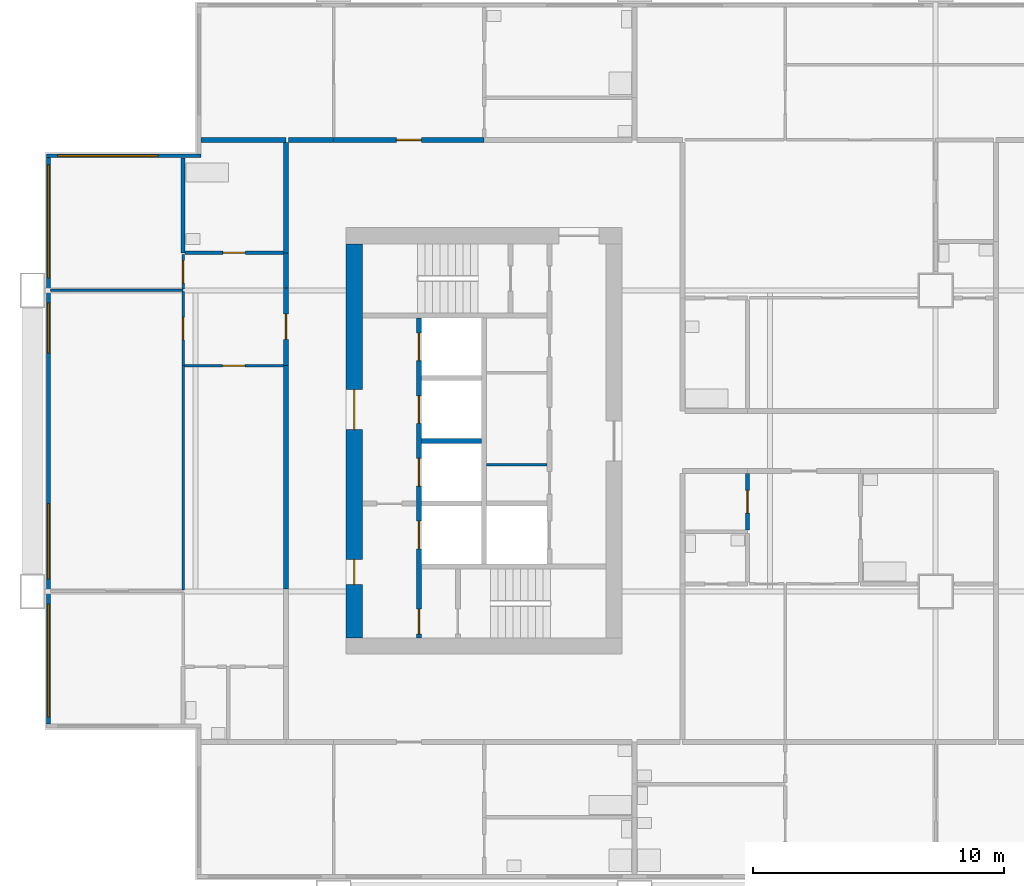
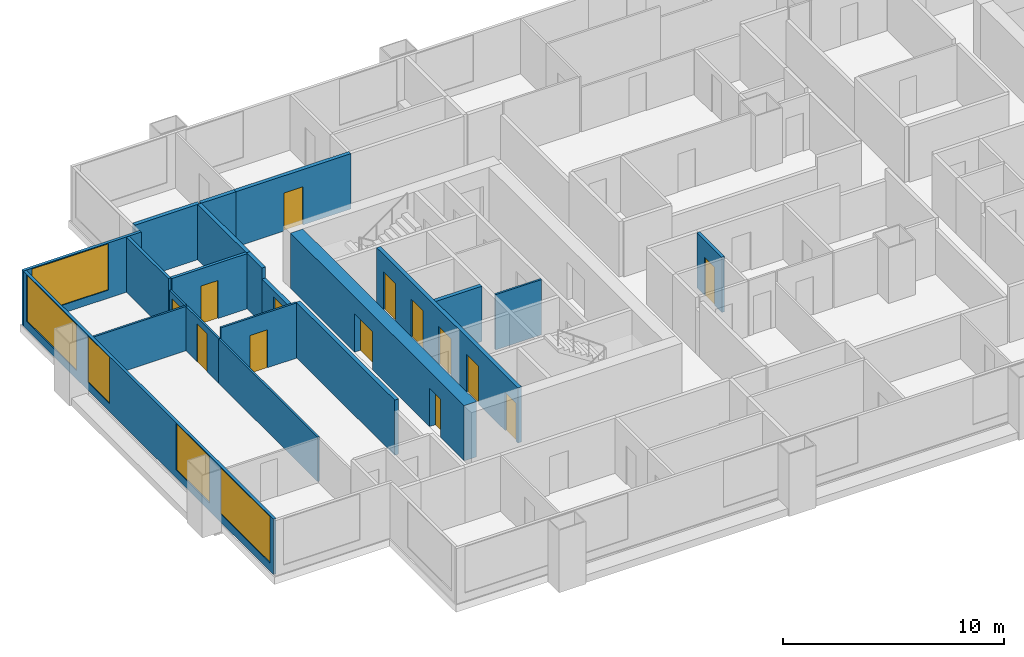
# One storey, part 3 of 11: 21 walls, 14 doors, 5 windows, 19 openings.
"""IFC4 building model written with IfcOpenShell, lengths in metres."""

from ifc_helpers import new_model, si_unit, direction, frame, frame_2d, origin, place, context, subcontext, project, spatial, rectangle, extrude, material, layer, layer_set, type_object, element, fill, save


model = new_model("IFC4")

# Units and contexts
model_context = context("Model", 3, precision=1e-05, world=origin(), true_north=direction((0.0, 1.0)))
body_context = subcontext(model_context, "Body", "Model", "MODEL_VIEW")
ifc_project = project(units=[si_unit("LENGTHUNIT", "METRE"), si_unit("AREAUNIT", "SQUARE_METRE"), si_unit("VOLUMEUNIT", "CUBIC_METRE"), si_unit("PLANEANGLEUNIT", "RADIAN"), si_unit("MASSUNIT", "GRAM", prefix="KILO")], contexts=[model_context])

# Site, building, storey
site_placement = place(None, origin())
site = spatial("IfcSite", under=ifc_project, at=site_placement, CompositionType="ELEMENT")
building_placement = place(site_placement, origin())
building = spatial("IfcBuilding", under=site, at=building_placement, Name="Kitamizu Gate Tower and Museum", CompositionType="ELEMENT")
storey_placement = place(building_placement, frame((0.0, 0.0, 138.0)))
storey = spatial("IfcBuildingStorey", under=building, at=storey_placement, Name="L36", CompositionType="ELEMENT", Elevation=138.0)

# Wall, openings, doors
ifc_material_1 = material(Name="Concrete Fc60", Category="concrete")
ifc_layer_1 = layer(ifc_material_1, 0.64990234375)
ifc_layer_set_1 = layer_set([ifc_layer_1], Name="Concrete Fc60")
wall_type_1 = type_object("IfcWallType", Name="Core wall 650", PredefinedType="SHEAR", material=ifc_layer_set_1)
wall_1_placement = place(storey_placement, frame((12.824951171875, 22.14990234375, 0.0), z_axis=(0.0, 0.0, 1.0), x_axis=(0.0, 1.0, 0.0)))
wall_1 = element("IfcWall", 1, at=wall_1_placement, inside=storey, type_object=wall_type_1, Name="Core wall WOUT", PredefinedType="SHEAR", context=body_context, shape_type="SweptSolid", body=[
    extrude(rectangle(XDim=15.7001953125, YDim=0.64990234375, at=frame_2d((7.85009765625, 0.0))), origin(), (0.0, 0.0, 1.0), 3.050048828125),
])
opening_1_placement = place(wall_1_placement, frame((8.300048828125, 0.0, 0.0)))
opening_1 = element("IfcOpeningElement", 2, at=opening_1_placement, cuts=wall_1, Name="Opening L36-060", PredefinedType="OPENING", context=body_context, shape_type="SweptSolid", body=[
    extrude(rectangle(XDim=1.60009765625, YDim=2.10009765625, at=frame_2d((0.800048828125, 1.050048828125))), frame((0.0, 0.3349609375, 0.0), z_axis=(0.0, -1.0, 0.0), x_axis=(1.0, 0.0, 0.0)), (0.0, 0.0, 1.0), 0.669921875),
])
opening_2_placement = place(wall_1_placement, frame((2.125, 0.0, 0.0)))
opening_2 = element("IfcOpeningElement", 3, at=opening_2_placement, cuts=wall_1, Name="Opening L36-061", PredefinedType="OPENING", context=body_context, shape_type="SweptSolid", body=[
    extrude(rectangle(XDim=1.0, YDim=2.10009765625, at=frame_2d((0.5, 1.050048828125))), frame((0.0, 0.3349609375, 0.0), z_axis=(0.0, -1.0, 0.0), x_axis=(1.0, 0.0, 0.0)), (0.0, 0.0, 1.0), 0.669921875),
])
ifc_material_2 = material(Name="Timber door set", Category="wood")
door_type_1 = type_object("IfcDoorType", Name="Entrance door 1600", OperationType="DOUBLE_DOOR_SINGLE_SWING", PredefinedType="DOOR", material=ifc_material_2)
door_1_placement = place(opening_1_placement, origin())
door_1 = element("IfcDoor", 4, at=door_1_placement, inside=storey, type_object=door_type_1, Name="Lobby door L36-060", OperationType="DOUBLE_DOOR_SINGLE_SWING", OverallHeight=2.10009765625, OverallWidth=1.60009765625, PredefinedType="DOOR", context=body_context, shape_type="SweptSolid", body=[
    extrude(rectangle(XDim=1.60009765625, YDim=2.10009765625, at=frame_2d((0.800048828125, 1.050048828125))), frame((0.0, 0.02490234375, 0.0), z_axis=(0.0, -1.0, 0.0), x_axis=(1.0, 0.0, 0.0)), (0.0, 0.0, 1.0), 0.050048828125),
])
fill(opening_1, door_1)
ifc_material_3 = material(Name="Hollow metal door set")
door_type_2 = type_object("IfcDoorType", Name="Fire door 1000", OperationType="NOTDEFINED", PredefinedType="DOOR", material=ifc_material_3)
door_2_placement = place(opening_2_placement, frame((1.0, 0.0, 0.0), x_axis=(-1.0, 0.0, 0.0)))
door_2 = element("IfcDoor", 5, at=door_2_placement, inside=storey, type_object=door_type_2, Name="Fire-fighting lobby door L36-061", OperationType="SINGLE_SWING_RIGHT", OverallHeight=2.10009765625, OverallWidth=1.0, PredefinedType="DOOR", context=body_context, shape_type="SweptSolid", body=[
    extrude(rectangle(XDim=1.0, YDim=2.10009765625, at=frame_2d((0.5, 1.050048828125))), frame((0.0, 0.02490234375, 0.0), z_axis=(0.0, -1.0, 0.0), x_axis=(1.0, 0.0, 0.0)), (0.0, 0.0, 1.0), 0.050048828125),
])
fill(opening_2, door_2)

# Walls
ifc_material_4 = material(Name="Gypsum board on galvanised stud")
ifc_layer_2 = layer(ifc_material_4, 0.10009765625)
ifc_layer_set_2 = layer_set([ifc_layer_2], Name="Gypsum board on galvanised stud")
wall_type_2 = type_object("IfcWallType", Name="Partition 100", PredefinedType="PARTITIONING", material=ifc_layer_set_2)
wall_2_placement = place(storey_placement, frame((18.10009765625, 29.06005859375, 0.0), z_axis=(0.0, 0.0, 1.0), x_axis=(1.0, 0.0, 0.0)))
element("IfcWall", 6, at=wall_2_placement, inside=storey, type_object=wall_type_2, Name="Partition WPF1", PredefinedType="PARTITIONING", context=body_context, shape_type="SweptSolid", body=[
    extrude(rectangle(XDim=2.39990234375, YDim=0.10009765625, at=frame_2d((1.199951171875, 0.0))), origin(), (0.0, 0.0, 1.0), 3.050048828125),
])
ifc_material_5 = material(Name="Gypsum board on galvanised stud")
ifc_layer_3 = layer(ifc_material_5, 0.10009765625)
ifc_layer_set_3 = layer_set([ifc_layer_3], Name="Gypsum board on galvanised stud")
wall_type_3 = type_object("IfcWallType", Name="Partition 100 NOT RATED", PredefinedType="PARTITIONING", material=ifc_layer_set_3)
wall_3_placement = place(storey_placement, frame((6.0, 36.0, 0.0), z_axis=(0.0, 0.0, 1.0), x_axis=(-1.0, 0.0, 0.0)))
element("IfcWall", 7, at=wall_3_placement, inside=storey, type_object=wall_type_3, Name="Partition L36-016", PredefinedType="PARTITIONING", context=body_context, shape_type="SweptSolid", body=[
    extrude(rectangle(XDim=5.280029296875, YDim=0.10009765625, at=frame_2d((2.64013671875, 0.0))), origin(), (0.0, 0.0, 1.0), 2.449951171875),
])
wall_4_placement = place(storey_placement, frame((6.0, 24.050048828125, 0.0), z_axis=(0.0, 0.0, 1.0), x_axis=(0.0, 1.0, 0.0)))
element("IfcWall", 8, at=wall_4_placement, inside=storey, type_object=wall_type_3, Name="Partition L36-017", PredefinedType="PARTITIONING", context=body_context, shape_type="SweptSolid", body=[
    extrude(rectangle(XDim=8.949951171875, YDim=0.10009765625, at=frame_2d((4.47509765625, 0.0))), origin(), (0.0, 0.0, 1.0), 2.449951171875),
])

# Wall, opening, door
wall_5_placement = place(storey_placement, frame((6.0, 33.0, 0.0), z_axis=(0.0, 0.0, 1.0), x_axis=(0.0, 1.0, 0.0)))
wall_5 = element("IfcWall", 9, at=wall_5_placement, inside=storey, type_object=wall_type_3, Name="Partition L36-018", PredefinedType="PARTITIONING", context=body_context, shape_type="SweptSolid", body=[
    extrude(rectangle(XDim=2.949951171875, YDim=0.10009765625, at=frame_2d((1.47509765625, 0.0))), origin(), (0.0, 0.0, 1.0), 2.449951171875),
])
opening_3_placement = place(wall_5_placement, frame((1.02490234375, 0.0, 0.0)))
opening_3 = element("IfcOpeningElement", 10, at=opening_3_placement, cuts=wall_5, Name="Opening L36-006", PredefinedType="OPENING", context=body_context, shape_type="SweptSolid", body=[
    extrude(rectangle(XDim=0.89990234375, YDim=2.10009765625, at=frame_2d((0.449951171875, 1.050048828125))), frame((0.0, 0.06005859375, 0.0), z_axis=(0.0, -1.0, 0.0), x_axis=(1.0, 0.0, 0.0)), (0.0, 0.0, 1.0), 0.1201171875),
])
ifc_material_6 = material(Name="Timber door set", Category="wood")
door_type_3 = type_object("IfcDoorType", Name="Room door 900", OperationType="NOTDEFINED", PredefinedType="DOOR", material=ifc_material_6)
door_3_placement = place(opening_3_placement, origin())
door_3 = element("IfcDoor", 11, at=door_3_placement, inside=storey, type_object=door_type_3, Name="Door L36-006", OperationType="SINGLE_SWING_LEFT", OverallHeight=2.10009765625, OverallWidth=0.89990234375, PredefinedType="DOOR", context=body_context, shape_type="SweptSolid", body=[
    extrude(rectangle(XDim=0.89990234375, YDim=2.10009765625, at=frame_2d((0.449951171875, 1.050048828125))), frame((0.0, 0.02490234375, 0.0), z_axis=(0.0, -1.0, 0.0), x_axis=(1.0, 0.0, 0.0)), (0.0, 0.0, 1.0), 0.050048828125),
])
fill(opening_3, door_3)

wall_6_placement = place(storey_placement, frame((6.0, 36.050048828125, 0.0), z_axis=(0.0, 0.0, 1.0), x_axis=(0.0, 1.0, 0.0)))
wall_6 = element("IfcWall", 12, at=wall_6_placement, inside=storey, type_object=wall_type_3, Name="Partition L36-019", PredefinedType="PARTITIONING", context=body_context, shape_type="SweptSolid", body=[
    extrude(rectangle(XDim=1.375, YDim=0.10009765625, at=frame_2d((0.6875, 0.0))), origin(), (0.0, 0.0, 1.0), 2.449951171875),
])
opening_4_placement = place(wall_6_placement, frame((0.237548828125, 0.0, 0.0)))
opening_4 = element("IfcOpeningElement", 13, at=opening_4_placement, cuts=wall_6, Name="Opening L36-007", PredefinedType="OPENING", context=body_context, shape_type="SweptSolid", body=[
    extrude(rectangle(XDim=0.89990234375, YDim=2.10009765625, at=frame_2d((0.449951171875, 1.050048828125))), frame((0.0, 0.06005859375, 0.0), z_axis=(0.0, -1.0, 0.0), x_axis=(1.0, 0.0, 0.0)), (0.0, 0.0, 1.0), 0.1201171875),
])
door_4_placement = place(opening_4_placement, origin())
door_4 = element("IfcDoor", 14, at=door_4_placement, inside=storey, type_object=door_type_3, Name="Door L36-007", OperationType="SINGLE_SWING_RIGHT", OverallHeight=2.10009765625, OverallWidth=0.89990234375, PredefinedType="DOOR", context=body_context, shape_type="SweptSolid", body=[
    extrude(rectangle(XDim=0.89990234375, YDim=2.10009765625, at=frame_2d((0.449951171875, 1.050048828125))), frame((0.0, 0.02490234375, 0.0), z_axis=(0.0, -1.0, 0.0), x_axis=(1.0, 0.0, 0.0)), (0.0, 0.0, 1.0), 0.050048828125),
])
fill(opening_4, door_4)

wall_7_placement = place(storey_placement, frame((10.0, 33.0, 0.0), z_axis=(0.0, 0.0, 1.0), x_axis=(-1.0, 0.0, 0.0)))
wall_7 = element("IfcWall", 15, at=wall_7_placement, inside=storey, type_object=wall_type_3, Name="Partition L36-025", PredefinedType="PARTITIONING", context=body_context, shape_type="SweptSolid", body=[
    extrude(rectangle(XDim=3.949951171875, YDim=0.10009765625, at=frame_2d((1.97509765625, 0.0))), origin(), (0.0, 0.0, 1.0), 3.050048828125),
])
opening_5_placement = place(wall_7_placement, frame((1.52490234375, 0.0, 0.0)))
opening_5 = element("IfcOpeningElement", 16, at=opening_5_placement, cuts=wall_7, Name="Opening L36-008", PredefinedType="OPENING", context=body_context, shape_type="SweptSolid", body=[
    extrude(rectangle(XDim=0.89990234375, YDim=2.10009765625, at=frame_2d((0.449951171875, 1.050048828125))), frame((0.0, 0.06005859375, 0.0), z_axis=(0.0, -1.0, 0.0), x_axis=(1.0, 0.0, 0.0)), (0.0, 0.0, 1.0), 0.1201171875),
])
door_5_placement = place(opening_5_placement, frame((0.89990234375, 0.0, 0.0), x_axis=(-1.0, 0.0, 0.0)))
door_5 = element("IfcDoor", 17, at=door_5_placement, inside=storey, type_object=door_type_3, Name="Door L36-008", OperationType="SINGLE_SWING_LEFT", OverallHeight=2.10009765625, OverallWidth=0.89990234375, PredefinedType="DOOR", context=body_context, shape_type="SweptSolid", body=[
    extrude(rectangle(XDim=0.89990234375, YDim=2.10009765625, at=frame_2d((0.449951171875, 1.050048828125))), frame((0.0, 0.02490234375, 0.0), z_axis=(0.0, -1.0, 0.0), x_axis=(1.0, 0.0, 0.0)), (0.0, 0.0, 1.0), 0.050048828125),
])
fill(opening_5, door_5)

# Wall
ifc_material_7 = material(Name="Gypsum board on galvanised stud")
ifc_layer_4 = layer(ifc_material_7, 0.14990234375)
ifc_layer_set_4 = layer_set([ifc_layer_4], Name="Gypsum board on galvanised stud")
wall_type_4 = type_object("IfcWallType", Name="Partition 150", PredefinedType="PARTITIONING", material=ifc_layer_set_4)
wall_8_placement = place(storey_placement, frame((6.0, 37.5, 0.0), z_axis=(0.0, 0.0, 1.0), x_axis=(0.0, 1.0, 0.0)))
element("IfcWall", 18, at=wall_8_placement, inside=storey, type_object=wall_type_4, Name="Partition L36-020", PredefinedType="PARTITIONING", context=body_context, shape_type="SweptSolid", body=[
    extrude(rectangle(XDim=3.780029296875, YDim=0.14990234375, at=frame_2d((1.89013671875, 0.0))), origin(), (0.0, 0.0, 1.0), 3.050048828125),
])

# Wall, opening, door
wall_9_placement = place(storey_placement, frame((10.0, 37.5, 0.0), z_axis=(0.0, 0.0, 1.0), x_axis=(-1.0, 0.0, 0.0)))
wall_9 = element("IfcWall", 19, at=wall_9_placement, inside=storey, type_object=wall_type_4, Name="Partition L36-028", PredefinedType="PARTITIONING", context=body_context, shape_type="SweptSolid", body=[
    extrude(rectangle(XDim=3.925048828125, YDim=0.14990234375, at=frame_2d((1.96240234375, 0.0))), origin(), (0.0, 0.0, 1.0), 3.050048828125),
])
opening_6_placement = place(wall_9_placement, frame((1.512451171875, 0.0, 0.0)))
opening_6 = element("IfcOpeningElement", 20, at=opening_6_placement, cuts=wall_9, Name="Opening L36-012", PredefinedType="OPENING", context=body_context, shape_type="SweptSolid", body=[
    extrude(rectangle(XDim=0.89990234375, YDim=2.10009765625, at=frame_2d((0.449951171875, 1.050048828125))), frame((0.0, 0.0849609375, 0.0), z_axis=(0.0, -1.0, 0.0), x_axis=(1.0, 0.0, 0.0)), (0.0, 0.0, 1.0), 0.169921875),
])
ifc_material_8 = material(Name="Timber door set", Category="wood")
door_type_4 = type_object("IfcDoorType", Name="Bathroom door 900", OperationType="NOTDEFINED", PredefinedType="DOOR", material=ifc_material_8)
door_6_placement = place(opening_6_placement, frame((0.89990234375, 0.0, 0.0), x_axis=(-1.0, 0.0, 0.0)))
door_6 = element("IfcDoor", 21, at=door_6_placement, inside=storey, type_object=door_type_4, Name="Bathroom door L36-012", OperationType="SINGLE_SWING_LEFT", OverallHeight=2.10009765625, OverallWidth=0.89990234375, PredefinedType="DOOR", context=body_context, shape_type="SweptSolid", body=[
    extrude(rectangle(XDim=0.89990234375, YDim=2.10009765625, at=frame_2d((0.449951171875, 1.050048828125))), frame((0.0, 0.02490234375, 0.0), z_axis=(0.0, -1.0, 0.0), x_axis=(1.0, 0.0, 0.0)), (0.0, 0.0, 1.0), 0.050048828125),
])
fill(opening_6, door_6)

wall_10_placement = place(storey_placement, frame((28.5, 26.451904296875, 0.0), z_axis=(0.0, 0.0, 1.0), x_axis=(0.0, 1.0, 0.0)))
wall_10 = element("IfcWall", 22, at=wall_10_placement, inside=storey, type_object=wall_type_4, Name="Partition L36-048", PredefinedType="PARTITIONING", context=body_context, shape_type="SweptSolid", body=[
    extrude(rectangle(XDim=2.248046875, YDim=0.14990234375, at=frame_2d((1.1240234375, 0.0))), origin(), (0.0, 0.0, 1.0), 3.050048828125),
])
opening_7_placement = place(wall_10_placement, frame((0.674072265625, 0.0, 0.0)))
opening_7 = element("IfcOpeningElement", 23, at=opening_7_placement, cuts=wall_10, Name="Opening L36-017", PredefinedType="OPENING", context=body_context, shape_type="SweptSolid", body=[
    extrude(rectangle(XDim=0.89990234375, YDim=2.10009765625, at=frame_2d((0.449951171875, 1.050048828125))), frame((0.0, 0.0849609375, 0.0), z_axis=(0.0, -1.0, 0.0), x_axis=(1.0, 0.0, 0.0)), (0.0, 0.0, 1.0), 0.169921875),
])
door_7_placement = place(opening_7_placement, origin())
door_7 = element("IfcDoor", 24, at=door_7_placement, inside=storey, type_object=door_type_4, Name="Bathroom door L36-017", OperationType="SINGLE_SWING_LEFT", OverallHeight=2.10009765625, OverallWidth=0.89990234375, PredefinedType="DOOR", context=body_context, shape_type="SweptSolid", body=[
    extrude(rectangle(XDim=0.89990234375, YDim=2.10009765625, at=frame_2d((0.449951171875, 1.050048828125))), frame((0.0, 0.02490234375, 0.0), z_axis=(0.0, -1.0, 0.0), x_axis=(1.0, 0.0, 0.0)), (0.0, 0.0, 1.0), 0.050048828125),
])
fill(opening_7, door_7)

# Wall
ifc_material_9 = material(Name="Gypsum board on galvanised stud")
ifc_layer_5 = layer(ifc_material_9, 0.199951171875)
ifc_layer_set_5 = layer_set([ifc_layer_5], Name="Gypsum board on galvanised stud")
wall_type_5 = type_object("IfcWallType", Name="Partition 200", PredefinedType="PARTITIONING", material=ifc_layer_set_5)
wall_11_placement = place(storey_placement, frame((10.10009765625, 24.10009765625, 0.0), z_axis=(0.0, 0.0, 1.0), x_axis=(0.0, 1.0, 0.0)))
element("IfcWall", 25, at=wall_11_placement, inside=storey, type_object=wall_type_5, Name="Partition L36-027", PredefinedType="PARTITIONING", context=body_context, shape_type="SweptSolid", body=[
    extrude(rectangle(XDim=8.89990234375, YDim=0.199951171875, at=frame_2d((4.449951171875, 0.0))), origin(), (0.0, 0.0, 1.0), 3.050048828125),
])

# Wall, opening, door
wall_12_placement = place(storey_placement, frame((10.10009765625, 33.0, 0.0), z_axis=(0.0, 0.0, 1.0), x_axis=(0.0, 1.0, 0.0)))
wall_12 = element("IfcWall", 26, at=wall_12_placement, inside=storey, type_object=wall_type_5, Name="Partition L36-029", PredefinedType="PARTITIONING", context=body_context, shape_type="SweptSolid", body=[
    extrude(rectangle(XDim=3.10009765625, YDim=0.199951171875, at=frame_2d((1.550048828125, 0.0))), origin(), (0.0, 0.0, 1.0), 2.449951171875),
])
opening_8_placement = place(wall_12_placement, frame((1.050048828125, 0.0, 0.0)))
opening_8 = element("IfcOpeningElement", 27, at=opening_8_placement, cuts=wall_12, Name="Opening L36-005", PredefinedType="OPENING", context=body_context, shape_type="SweptSolid", body=[
    extrude(rectangle(XDim=1.0, YDim=2.10009765625, at=frame_2d((0.5, 1.050048828125))), frame((0.0, 0.10986328125, 0.0), z_axis=(0.0, -1.0, 0.0), x_axis=(1.0, 0.0, 0.0)), (0.0, 0.0, 1.0), 0.219970703125),
])
ifc_material_10 = material(Name="Timber door set", Category="wood")
door_type_5 = type_object("IfcDoorType", Name="Flat entrance door 1000", OperationType="NOTDEFINED", PredefinedType="DOOR", material=ifc_material_10)
door_8_placement = place(opening_8_placement, origin())
door_8 = element("IfcDoor", 28, at=door_8_placement, inside=storey, type_object=door_type_5, Name="Flat entrance door L36-005", OperationType="SINGLE_SWING_RIGHT", OverallHeight=2.10009765625, OverallWidth=1.0, PredefinedType="DOOR", context=body_context, shape_type="SweptSolid", body=[
    extrude(rectangle(XDim=1.0, YDim=2.10009765625, at=frame_2d((0.5, 1.050048828125))), frame((0.0, 0.02490234375, 0.0), z_axis=(0.0, -1.0, 0.0), x_axis=(1.0, 0.0, 0.0)), (0.0, 0.0, 1.0), 0.050048828125),
])
fill(opening_8, door_8)

# Walls
wall_13_placement = place(storey_placement, frame((10.10009765625, 36.10009765625, 0.0), z_axis=(0.0, 0.0, 1.0), x_axis=(0.0, 1.0, 0.0)))
element("IfcWall", 29, at=wall_13_placement, inside=storey, type_object=wall_type_5, Name="Partition L36-030", PredefinedType="PARTITIONING", context=body_context, shape_type="SweptSolid", body=[
    extrude(rectangle(XDim=1.39990234375, YDim=0.199951171875, at=frame_2d((0.699951171875, 0.0))), origin(), (0.0, 0.0, 1.0), 3.050048828125),
])
wall_14_placement = place(storey_placement, frame((10.10009765625, 42.0, 0.0), z_axis=(0.0, 0.0, 1.0), x_axis=(-1.0, 0.0, 0.0)))
element("IfcWall", 30, at=wall_14_placement, inside=storey, type_object=wall_type_5, Name="Partition L36-031", PredefinedType="PARTITIONING", context=body_context, shape_type="SweptSolid", body=[
    extrude(rectangle(XDim=3.380126953125, YDim=0.199951171875, at=frame_2d((1.68994140625, 0.0))), origin(), (0.0, 0.0, 1.0), 3.050048828125),
])
wall_15_placement = place(storey_placement, frame((10.10009765625, 37.5, 0.0), z_axis=(0.0, 0.0, 1.0), x_axis=(0.0, 1.0, 0.0)))
element("IfcWall", 31, at=wall_15_placement, inside=storey, type_object=wall_type_5, Name="Partition L36-032", PredefinedType="PARTITIONING", context=body_context, shape_type="SweptSolid", body=[
    extrude(rectangle(XDim=4.39990234375, YDim=0.199951171875, at=frame_2d((2.199951171875, 0.0))), origin(), (0.0, 0.0, 1.0), 3.050048828125),
])
wall_16_placement = place(storey_placement, frame((10.199951171875, 42.0, 0.0), z_axis=(0.0, 0.0, 1.0), x_axis=(1.0, 0.0, 0.0)))
element("IfcWall", 32, at=wall_16_placement, inside=storey, type_object=wall_type_5, Name="Partition L36-105", PredefinedType="PARTITIONING", context=body_context, shape_type="SweptSolid", body=[
    extrude(rectangle(XDim=1.800048828125, YDim=0.199951171875, at=frame_2d((0.89990234375, 0.0))), origin(), (0.0, 0.0, 1.0), 3.050048828125),
])

# Wall, opening, door
wall_17_placement = place(storey_placement, frame((12.0, 42.0, 0.0), z_axis=(0.0, 0.0, 1.0), x_axis=(1.0, 0.0, 0.0)))
wall_17 = element("IfcWall", 33, at=wall_17_placement, inside=storey, type_object=wall_type_5, Name="Partition L36-108", PredefinedType="PARTITIONING", context=body_context, shape_type="SweptSolid", body=[
    extrude(rectangle(XDim=6.0, YDim=0.199951171875, at=frame_2d((3.0, 0.0))), origin(), (0.0, 0.0, 1.0), 3.050048828125),
])
opening_9_placement = place(wall_17_placement, frame((2.5, 0.0, 0.0)))
opening_9 = element("IfcOpeningElement", 34, at=opening_9_placement, cuts=wall_17, Name="Opening L36-038", PredefinedType="OPENING", context=body_context, shape_type="SweptSolid", body=[
    extrude(rectangle(XDim=1.0, YDim=2.10009765625, at=frame_2d((0.5, 1.050048828125))), frame((0.0, 0.10986328125, 0.0), z_axis=(0.0, -1.0, 0.0), x_axis=(1.0, 0.0, 0.0)), (0.0, 0.0, 1.0), 0.219970703125),
])
door_9_placement = place(opening_9_placement, origin())
door_9 = element("IfcDoor", 35, at=door_9_placement, inside=storey, type_object=door_type_5, Name="Flat entrance door L36-038", OperationType="SINGLE_SWING_LEFT", OverallHeight=2.10009765625, OverallWidth=1.0, PredefinedType="DOOR", context=body_context, shape_type="SweptSolid", body=[
    extrude(rectangle(XDim=1.0, YDim=2.10009765625, at=frame_2d((0.5, 1.050048828125))), frame((0.0, 0.02490234375, 0.0), z_axis=(0.0, -1.0, 0.0), x_axis=(1.0, 0.0, 0.0)), (0.0, 0.0, 1.0), 0.050048828125),
])
fill(opening_9, door_9)

# Wall, openings, doors
ifc_material_11 = material(Name="Concrete Fc42", Category="concrete")
ifc_layer_6 = layer(ifc_material_11, 0.199951171875)
ifc_layer_set_6 = layer_set([ifc_layer_6], Name="Concrete Fc42")
wall_type_6 = type_object("IfcWallType", Name="Shaft wall 200", PredefinedType="SOLIDWALL", material=ifc_layer_set_6)
wall_18_placement = place(storey_placement, frame((15.39990234375, 22.14990234375, 0.0), z_axis=(0.0, 0.0, 1.0), x_axis=(0.0, 1.0, 0.0)))
wall_18 = element("IfcWall", 36, at=wall_18_placement, inside=storey, type_object=wall_type_6, Name="Shaft wall WWEST", PredefinedType="SOLIDWALL", context=body_context, shape_type="SweptSolid", body=[
    extrude(rectangle(XDim=12.75, YDim=0.199951171875, at=frame_2d((6.375, 0.0))), origin(), (0.0, 0.0, 1.0), 3.050048828125),
])
opening_10_placement = place(wall_18_placement, frame((3.550048828125, 0.0, 0.0)))
opening_10 = element("IfcOpeningElement", 37, at=opening_10_placement, cuts=wall_18, Name="Opening LD", PredefinedType="OPENING", context=body_context, shape_type="SweptSolid", body=[
    extrude(rectangle(XDim=1.10009765625, YDim=2.10009765625, at=frame_2d((0.550048828125, 1.050048828125))), frame((0.0, 0.10986328125, 0.0), z_axis=(0.0, -1.0, 0.0), x_axis=(1.0, 0.0, 0.0)), (0.0, 0.0, 1.0), 0.219970703125),
])
opening_11_placement = place(wall_18_placement, frame((6.050048828125, 0.0, 0.0)))
opening_11 = element("IfcOpeningElement", 38, at=opening_11_placement, cuts=wall_18, Name="Opening LD", PredefinedType="OPENING", context=body_context, shape_type="SweptSolid", body=[
    extrude(rectangle(XDim=1.10009765625, YDim=2.10009765625, at=frame_2d((0.550048828125, 1.050048828125))), frame((0.0, 0.10986328125, 0.0), z_axis=(0.0, -1.0, 0.0), x_axis=(1.0, 0.0, 0.0)), (0.0, 0.0, 1.0), 0.219970703125),
])
opening_12_placement = place(wall_18_placement, frame((8.550048828125, 0.0, 0.0)))
opening_12 = element("IfcOpeningElement", 39, at=opening_12_placement, cuts=wall_18, Name="Opening LD", PredefinedType="OPENING", context=body_context, shape_type="SweptSolid", body=[
    extrude(rectangle(XDim=1.10009765625, YDim=2.10009765625, at=frame_2d((0.550048828125, 1.050048828125))), frame((0.0, 0.10986328125, 0.0), z_axis=(0.0, -1.0, 0.0), x_axis=(1.0, 0.0, 0.0)), (0.0, 0.0, 1.0), 0.219970703125),
])
opening_13_placement = place(wall_18_placement, frame((11.050048828125, 0.0, 0.0)))
opening_13 = element("IfcOpeningElement", 40, at=opening_13_placement, cuts=wall_18, Name="Opening LD", PredefinedType="OPENING", context=body_context, shape_type="SweptSolid", body=[
    extrude(rectangle(XDim=1.10009765625, YDim=2.10009765625, at=frame_2d((0.550048828125, 1.050048828125))), frame((0.0, 0.10986328125, 0.0), z_axis=(0.0, -1.0, 0.0), x_axis=(1.0, 0.0, 0.0)), (0.0, 0.0, 1.0), 0.219970703125),
])
opening_14_placement = place(wall_18_placement, frame((0.14990234375, 0.0, 0.0)))
opening_14 = element("IfcOpeningElement", 41, at=opening_14_placement, cuts=wall_18, Name="Opening L36-056", PredefinedType="OPENING", context=body_context, shape_type="SweptSolid", body=[
    extrude(rectangle(XDim=1.0, YDim=2.10009765625, at=frame_2d((0.5, 1.050048828125))), frame((0.0, 0.10986328125, 0.0), z_axis=(0.0, -1.0, 0.0), x_axis=(1.0, 0.0, 0.0)), (0.0, 0.0, 1.0), 0.219970703125),
])
door_10_placement = place(opening_14_placement, frame((1.0, 0.0, 0.0), x_axis=(-1.0, 0.0, 0.0)))
door_10 = element("IfcDoor", 42, at=door_10_placement, inside=storey, type_object=door_type_2, Name="Stair lobby door L36-056", OperationType="SINGLE_SWING_LEFT", OverallHeight=2.10009765625, OverallWidth=1.0, PredefinedType="DOOR", context=body_context, shape_type="SweptSolid", body=[
    extrude(rectangle(XDim=1.0, YDim=2.10009765625, at=frame_2d((0.5, 1.050048828125))), frame((0.0, 0.02490234375, 0.0), z_axis=(0.0, -1.0, 0.0), x_axis=(1.0, 0.0, 0.0)), (0.0, 0.0, 1.0), 0.050048828125),
])
fill(opening_14, door_10)
ifc_material_12 = material(Name="Hollow metal door set")
door_type_6 = type_object("IfcDoorType", Name="Landing door 1100", OperationType="SLIDING_TO_LEFT", PredefinedType="DOOR", material=ifc_material_12)
door_11_placement = place(opening_10_placement, origin())
door_11 = element("IfcDoor", 43, at=door_11_placement, inside=storey, type_object=door_type_6, Name="Landing door WFF1", OperationType="SLIDING_TO_LEFT", OverallHeight=2.10009765625, OverallWidth=1.10009765625, PredefinedType="DOOR", context=body_context, shape_type="SweptSolid", body=[
    extrude(rectangle(XDim=1.10009765625, YDim=2.10009765625, at=frame_2d((0.550048828125, 1.050048828125))), frame((0.0, 0.02490234375, 0.0), z_axis=(0.0, -1.0, 0.0), x_axis=(1.0, 0.0, 0.0)), (0.0, 0.0, 1.0), 0.050048828125),
])
fill(opening_10, door_11)
door_12_placement = place(opening_11_placement, origin())
door_12 = element("IfcDoor", 44, at=door_12_placement, inside=storey, type_object=door_type_6, Name="Landing door WL1", OperationType="SLIDING_TO_LEFT", OverallHeight=2.10009765625, OverallWidth=1.10009765625, PredefinedType="DOOR", context=body_context, shape_type="SweptSolid", body=[
    extrude(rectangle(XDim=1.10009765625, YDim=2.10009765625, at=frame_2d((0.550048828125, 1.050048828125))), frame((0.0, 0.02490234375, 0.0), z_axis=(0.0, -1.0, 0.0), x_axis=(1.0, 0.0, 0.0)), (0.0, 0.0, 1.0), 0.050048828125),
])
fill(opening_11, door_12)
door_13_placement = place(opening_12_placement, origin())
door_13 = element("IfcDoor", 45, at=door_13_placement, inside=storey, type_object=door_type_6, Name="Landing door WL2", OperationType="SLIDING_TO_LEFT", OverallHeight=2.10009765625, OverallWidth=1.10009765625, PredefinedType="DOOR", context=body_context, shape_type="SweptSolid", body=[
    extrude(rectangle(XDim=1.10009765625, YDim=2.10009765625, at=frame_2d((0.550048828125, 1.050048828125))), frame((0.0, 0.02490234375, 0.0), z_axis=(0.0, -1.0, 0.0), x_axis=(1.0, 0.0, 0.0)), (0.0, 0.0, 1.0), 0.050048828125),
])
fill(opening_12, door_13)
door_14_placement = place(opening_13_placement, origin())
door_14 = element("IfcDoor", 46, at=door_14_placement, inside=storey, type_object=door_type_6, Name="Landing door WL3", OperationType="SLIDING_TO_LEFT", OverallHeight=2.10009765625, OverallWidth=1.10009765625, PredefinedType="DOOR", context=body_context, shape_type="SweptSolid", body=[
    extrude(rectangle(XDim=1.10009765625, YDim=2.10009765625, at=frame_2d((0.550048828125, 1.050048828125))), frame((0.0, 0.02490234375, 0.0), z_axis=(0.0, -1.0, 0.0), x_axis=(1.0, 0.0, 0.0)), (0.0, 0.0, 1.0), 0.050048828125),
])
fill(opening_13, door_14)

# Wall
wall_19_placement = place(storey_placement, frame((15.5, 30.0, 0.0), z_axis=(0.0, 0.0, 1.0), x_axis=(1.0, 0.0, 0.0)))
element("IfcWall", 47, at=wall_19_placement, inside=storey, type_object=wall_type_6, Name="Shaft wall WDVW1", PredefinedType="SOLIDWALL", context=body_context, shape_type="SweptSolid", body=[
    extrude(rectangle(XDim=2.39990234375, YDim=0.199951171875, at=frame_2d((1.199951171875, 0.0))), origin(), (0.0, 0.0, 1.0), 3.050048828125),
])

# Wall, opening, window
ifc_material_13 = material(Name="Bronze anodised aluminium frame with insulated spandrel and tinted glass", Category="aluminium")
ifc_layer_7 = layer(ifc_material_13, 0.14990234375)
ifc_layer_set_7 = layer_set([ifc_layer_7], Name="Bronze anodised aluminium frame with insulated spandrel and tinted glass")
wall_type_7 = type_object("IfcWallType", Name="WINDOW WALL 150 BRONZE FRAME EI 30", PredefinedType="ELEMENTEDWALL", material=ifc_layer_set_7)
wall_20_placement = place(storey_placement, frame((0.56005859375, 41.364990234375, 0.0), z_axis=(0.0, 0.0, 1.0), x_axis=(1.0, 0.0, 0.0)))
wall_20 = element("IfcWall", 48, at=wall_20_placement, inside=storey, type_object=wall_type_7, Name="Window wall north L36", PredefinedType="ELEMENTEDWALL", context=body_context, shape_type="SweptSolid", body=[
    extrude(rectangle(XDim=6.14990234375, YDim=0.14990234375, at=frame_2d((3.074951171875, 0.0))), origin(), (0.0, 0.0, 1.0), 3.050048828125),
])
opening_15_placement = place(wall_20_placement, frame((0.43994140625, 0.0, 0.449951171875)))
opening_15 = element("IfcOpeningElement", 49, at=opening_15_placement, cuts=wall_20, Name="Opening W16", PredefinedType="OPENING", context=body_context, shape_type="SweptSolid", body=[
    extrude(rectangle(XDim=4.0, YDim=2.550048828125, at=frame_2d((2.0, 1.27490234375))), frame((0.0, 0.0849609375, 0.0), z_axis=(0.0, -1.0, 0.0), x_axis=(1.0, 0.0, 0.0)), (0.0, 0.0, 1.0), 0.169921875),
])
ifc_material_14 = material(Name="Bronze anodised aluminium frame, tinted triple glazing", Category="aluminium")
window_type_1 = type_object("IfcWindowType", Name="WINDOW 4000 x 2550 SILL 450", PartitioningType="SINGLE_PANEL", PredefinedType="WINDOW", material=ifc_material_14)
window_1_placement = place(opening_15_placement, origin())
window_1 = element("IfcWindow", 50, at=window_1_placement, inside=storey, type_object=window_type_1, Name="Window W16 L36", OverallHeight=2.550048828125, OverallWidth=4.0, PartitioningType="SINGLE_PANEL", PredefinedType="WINDOW", context=body_context, shape_type="SweptSolid", body=[
    extrude(rectangle(XDim=4.0, YDim=2.550048828125, at=frame_2d((2.0, 1.27490234375))), frame((0.0, 0.030029296875, 0.0), z_axis=(0.0, -1.0, 0.0), x_axis=(1.0, 0.0, 0.0)), (0.0, 0.0, 1.0), 0.06005859375),
])
fill(opening_15, window_1)

# Wall, openings, windows
wall_21_placement = place(storey_placement, frame((0.635009765625, 18.7099609375, 0.0), z_axis=(0.0, 0.0, 1.0), x_axis=(0.0, 1.0, 0.0)))
wall_21 = element("IfcWall", 51, at=wall_21_placement, inside=storey, type_object=wall_type_7, Name="Window wall west L36", PredefinedType="ELEMENTEDWALL", context=body_context, shape_type="SweptSolid", body=[
    extrude(rectangle(XDim=22.580078125, YDim=0.14990234375, at=frame_2d((11.2900390625, 0.0))), origin(), (0.0, 0.0, 1.0), 3.050048828125),
])
opening_16_placement = place(wall_21_placement, frame((0.2900390625, 0.0, 0.449951171875)))
opening_16 = element("IfcOpeningElement", 52, at=opening_16_placement, cuts=wall_21, Name="Opening W15", PredefinedType="OPENING", context=body_context, shape_type="SweptSolid", body=[
    extrude(rectangle(XDim=4.5, YDim=2.550048828125, at=frame_2d((2.25, 1.27490234375))), frame((0.0, 0.0849609375, 0.0), z_axis=(0.0, -1.0, 0.0), x_axis=(1.0, 0.0, 0.0)), (0.0, 0.0, 1.0), 0.169921875),
])
opening_17_placement = place(wall_21_placement, frame((5.7900390625, 0.0, 0.449951171875)))
opening_17 = element("IfcOpeningElement", 53, at=opening_17_placement, cuts=wall_21, Name="Opening W33", PredefinedType="OPENING", context=body_context, shape_type="SweptSolid", body=[
    extrude(rectangle(XDim=3.0, YDim=2.550048828125, at=frame_2d((1.5, 1.27490234375))), frame((0.0, 0.0849609375, 0.0), z_axis=(0.0, -1.0, 0.0), x_axis=(1.0, 0.0, 0.0)), (0.0, 0.0, 1.0), 0.169921875),
])
opening_18_placement = place(wall_21_placement, frame((14.7900390625, 0.0, 0.449951171875)))
opening_18 = element("IfcOpeningElement", 54, at=opening_18_placement, cuts=wall_21, Name="Opening W2", PredefinedType="OPENING", context=body_context, shape_type="SweptSolid", body=[
    extrude(rectangle(XDim=2.0, YDim=2.550048828125, at=frame_2d((1.0, 1.27490234375))), frame((0.0, 0.0849609375, 0.0), z_axis=(0.0, -1.0, 0.0), x_axis=(1.0, 0.0, 0.0)), (0.0, 0.0, 1.0), 0.169921875),
])
opening_19_placement = place(wall_21_placement, frame((17.7900390625, 0.0, 0.449951171875)))
opening_19 = element("IfcOpeningElement", 55, at=opening_19_placement, cuts=wall_21, Name="Opening W15", PredefinedType="OPENING", context=body_context, shape_type="SweptSolid", body=[
    extrude(rectangle(XDim=4.5, YDim=2.550048828125, at=frame_2d((2.25, 1.27490234375))), frame((0.0, 0.0849609375, 0.0), z_axis=(0.0, -1.0, 0.0), x_axis=(1.0, 0.0, 0.0)), (0.0, 0.0, 1.0), 0.169921875),
])
ifc_material_15 = material(Name="Bronze anodised aluminium frame, tinted triple glazing", Category="aluminium")
window_type_2 = type_object("IfcWindowType", Name="WINDOW 2000 x 2550 SILL 450", PartitioningType="SINGLE_PANEL", PredefinedType="WINDOW", material=ifc_material_15)
window_2_placement = place(opening_18_placement, origin())
window_2 = element("IfcWindow", 56, at=window_2_placement, inside=storey, type_object=window_type_2, Name="Window W2 L36", OverallHeight=2.550048828125, OverallWidth=2.0, PartitioningType="SINGLE_PANEL", PredefinedType="WINDOW", context=body_context, shape_type="SweptSolid", body=[
    extrude(rectangle(XDim=2.0, YDim=2.550048828125, at=frame_2d((1.0, 1.27490234375))), frame((0.0, 0.030029296875, 0.0), z_axis=(0.0, -1.0, 0.0), x_axis=(1.0, 0.0, 0.0)), (0.0, 0.0, 1.0), 0.06005859375),
])
fill(opening_18, window_2)
ifc_material_16 = material(Name="Bronze anodised aluminium frame, tinted triple glazing", Category="aluminium")
window_type_3 = type_object("IfcWindowType", Name="WINDOW 3000 x 2550 SILL 450", PartitioningType="SINGLE_PANEL", PredefinedType="WINDOW", material=ifc_material_16)
window_3_placement = place(opening_17_placement, origin())
window_3 = element("IfcWindow", 57, at=window_3_placement, inside=storey, type_object=window_type_3, Name="Window W33 L36", OverallHeight=2.550048828125, OverallWidth=3.0, PartitioningType="SINGLE_PANEL", PredefinedType="WINDOW", context=body_context, shape_type="SweptSolid", body=[
    extrude(rectangle(XDim=3.0, YDim=2.550048828125, at=frame_2d((1.5, 1.27490234375))), frame((0.0, 0.030029296875, 0.0), z_axis=(0.0, -1.0, 0.0), x_axis=(1.0, 0.0, 0.0)), (0.0, 0.0, 1.0), 0.06005859375),
])
fill(opening_17, window_3)
ifc_material_17 = material(Name="Bronze anodised aluminium frame, tinted triple glazing", Category="aluminium")
window_type_4 = type_object("IfcWindowType", Name="WINDOW 4500 x 2550 SILL 450", PartitioningType="SINGLE_PANEL", PredefinedType="WINDOW", material=ifc_material_17)
window_4_placement = place(opening_16_placement, origin())
window_4 = element("IfcWindow", 58, at=window_4_placement, inside=storey, type_object=window_type_4, Name="Window W15 L36", OverallHeight=2.550048828125, OverallWidth=4.5, PartitioningType="SINGLE_PANEL", PredefinedType="WINDOW", context=body_context, shape_type="SweptSolid", body=[
    extrude(rectangle(XDim=4.5, YDim=2.550048828125, at=frame_2d((2.25, 1.27490234375))), frame((0.0, 0.030029296875, 0.0), z_axis=(0.0, -1.0, 0.0), x_axis=(1.0, 0.0, 0.0)), (0.0, 0.0, 1.0), 0.06005859375),
])
fill(opening_16, window_4)
window_5_placement = place(opening_19_placement, origin())
window_5 = element("IfcWindow", 59, at=window_5_placement, inside=storey, type_object=window_type_4, Name="Window W15 L36", OverallHeight=2.550048828125, OverallWidth=4.5, PartitioningType="SINGLE_PANEL", PredefinedType="WINDOW", context=body_context, shape_type="SweptSolid", body=[
    extrude(rectangle(XDim=4.5, YDim=2.550048828125, at=frame_2d((2.25, 1.27490234375))), frame((0.0, 0.030029296875, 0.0), z_axis=(0.0, -1.0, 0.0), x_axis=(1.0, 0.0, 0.0)), (0.0, 0.0, 1.0), 0.06005859375),
])
fill(opening_19, window_5)

save(model, "model.ifc")
